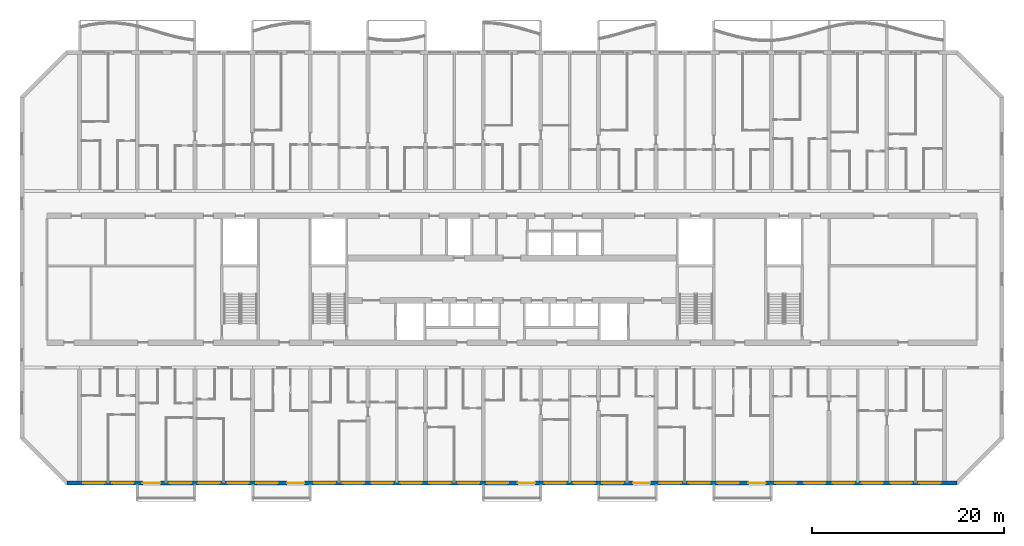
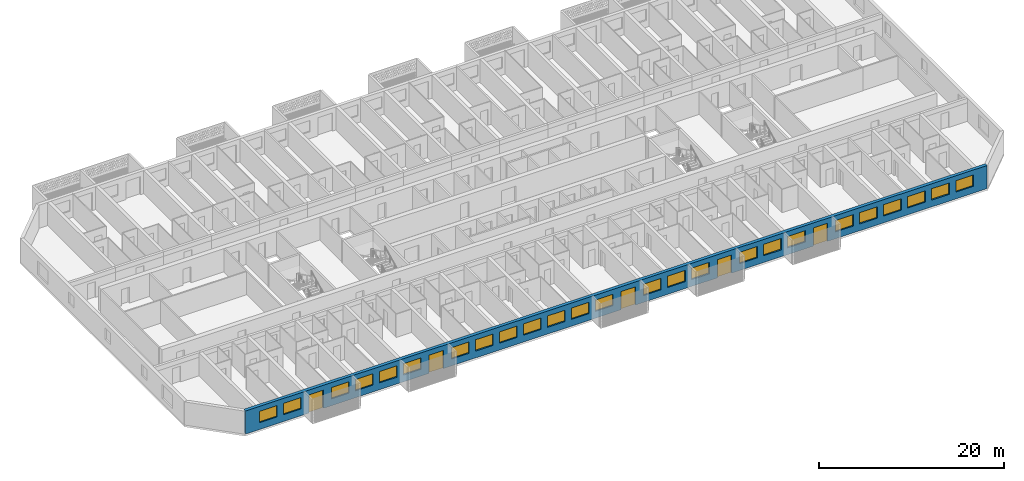
# One storey, part 5 of 40: 25 windows, 5 doors, 1 wall, 30 openings.
"""IFC4 building model written with IfcOpenShell, lengths in metres."""

from ifc_helpers import new_model, si_unit, direction, frame, frame_2d, origin, place, context, subcontext, project, spatial, rectangle, extrude, material, layer, layer_set, type_object, element, fill, save


model = new_model("IFC4")

# Units and contexts
model_context = context("Model", 3, precision=1e-05, world=origin(), true_north=direction((0.0, 1.0)))
body_context = subcontext(model_context, "Body", "Model", "MODEL_VIEW")
ifc_project = project(units=[si_unit("LENGTHUNIT", "METRE"), si_unit("AREAUNIT", "SQUARE_METRE"), si_unit("VOLUMEUNIT", "CUBIC_METRE"), si_unit("PLANEANGLEUNIT", "RADIAN"), si_unit("MASSUNIT", "GRAM", prefix="KILO")], contexts=[model_context])

# Site, building, storey
site_placement = place(None, origin())
site = spatial("IfcSite", under=ifc_project, at=site_placement, CompositionType="ELEMENT")
building_placement = place(site_placement, origin())
building = spatial("IfcBuilding", under=site, at=building_placement, Name="Poui Terraces", CompositionType="ELEMENT")
storey_placement = place(building_placement, frame((0.0, 0.0, 36.60009765625)))
storey = spatial("IfcBuildingStorey", under=building, at=storey_placement, Name="L09", CompositionType="ELEMENT", Elevation=36.60009765625)

# Wall, openings, doors, windows
ifc_material_1 = material(Name="Precast concrete 40 MPa", Category="concrete")
ifc_layer = layer(ifc_material_1, 0.39990234375)
ifc_layer_set = layer_set([ifc_layer], Name="Precast concrete 40 MPa")
wall_type = type_object("IfcWallType", Name="EXTERNAL WALL 400", PredefinedType="STANDARD", material=ifc_layer_set)
wall_placement = place(storey_placement, frame((4.682861328125, 0.0, 0.0), z_axis=(0.0, 0.0, 1.0), x_axis=(1.0, 0.0, 0.0)))
wall = element("IfcWall", 1, at=wall_placement, inside=storey, type_object=wall_type, Name="EXTERNAL WALL S", PredefinedType="STANDARD", context=body_context, shape_type="SweptSolid", body=[
    extrude(rectangle(XDim=92.63427734375, YDim=0.39990234375, at=frame_2d((46.317138671875, 0.0))), origin(), (0.0, 0.0, 1.0), 3.0498046875),
])
opening_1_placement = place(wall_placement, frame((1.71728515625, 0.0, 0.89990234375)))
opening_1 = element("IfcOpeningElement", 2, at=opening_1_placement, cuts=wall, Name="Opening W1", PredefinedType="OPENING", context=body_context, shape_type="SweptSolid", body=[
    extrude(rectangle(XDim=2.199951171875, YDim=1.5, at=frame_2d((1.10009765625, 0.75))), frame((0.0, 0.2099609375, 0.0), z_axis=(0.0, -1.0, 0.0), x_axis=(1.0, 0.0, 0.0)), (0.0, 0.0, 1.0), 0.419921875),
])
opening_2_placement = place(wall_placement, frame((4.71728515625, 0.0, 0.89990234375)))
opening_2 = element("IfcOpeningElement", 3, at=opening_2_placement, cuts=wall, Name="Opening W1", PredefinedType="OPENING", context=body_context, shape_type="SweptSolid", body=[
    extrude(rectangle(XDim=2.199951171875, YDim=1.5, at=frame_2d((1.10009765625, 0.75))), frame((0.0, 0.2099609375, 0.0), z_axis=(0.0, -1.0, 0.0), x_axis=(1.0, 0.0, 0.0)), (0.0, 0.0, 1.0), 0.419921875),
])
opening_3_placement = place(wall_placement, frame((7.917236328125, 0.0, 0.0)))
opening_3 = element("IfcOpeningElement", 4, at=opening_3_placement, cuts=wall, Name="Opening BD1", PredefinedType="OPENING", context=body_context, shape_type="SweptSolid", body=[
    extrude(rectangle(XDim=1.800048828125, YDim=2.39990234375, at=frame_2d((0.89990234375, 1.199951171875))), frame((0.0, 0.2099609375, 0.0), z_axis=(0.0, -1.0, 0.0), x_axis=(1.0, 0.0, 0.0)), (0.0, 0.0, 1.0), 0.419921875),
])
opening_4_placement = place(wall_placement, frame((10.71728515625, 0.0, 0.89990234375)))
opening_4 = element("IfcOpeningElement", 5, at=opening_4_placement, cuts=wall, Name="Opening W1", PredefinedType="OPENING", context=body_context, shape_type="SweptSolid", body=[
    extrude(rectangle(XDim=2.199951171875, YDim=1.5, at=frame_2d((1.10009765625, 0.75))), frame((0.0, 0.2099609375, 0.0), z_axis=(0.0, -1.0, 0.0), x_axis=(1.0, 0.0, 0.0)), (0.0, 0.0, 1.0), 0.419921875),
])
opening_5_placement = place(wall_placement, frame((13.71728515625, 0.0, 0.89990234375)))
opening_5 = element("IfcOpeningElement", 6, at=opening_5_placement, cuts=wall, Name="Opening W1", PredefinedType="OPENING", context=body_context, shape_type="SweptSolid", body=[
    extrude(rectangle(XDim=2.199951171875, YDim=1.5, at=frame_2d((1.10009765625, 0.75))), frame((0.0, 0.2099609375, 0.0), z_axis=(0.0, -1.0, 0.0), x_axis=(1.0, 0.0, 0.0)), (0.0, 0.0, 1.0), 0.419921875),
])
opening_6_placement = place(wall_placement, frame((16.71728515625, 0.0, 0.89990234375)))
opening_6 = element("IfcOpeningElement", 7, at=opening_6_placement, cuts=wall, Name="Opening W1", PredefinedType="OPENING", context=body_context, shape_type="SweptSolid", body=[
    extrude(rectangle(XDim=2.199951171875, YDim=1.5, at=frame_2d((1.10009765625, 0.75))), frame((0.0, 0.2099609375, 0.0), z_axis=(0.0, -1.0, 0.0), x_axis=(1.0, 0.0, 0.0)), (0.0, 0.0, 1.0), 0.419921875),
])
opening_7_placement = place(wall_placement, frame((19.71728515625, 0.0, 0.89990234375)))
opening_7 = element("IfcOpeningElement", 8, at=opening_7_placement, cuts=wall, Name="Opening W1", PredefinedType="OPENING", context=body_context, shape_type="SweptSolid", body=[
    extrude(rectangle(XDim=2.199951171875, YDim=1.5, at=frame_2d((1.10009765625, 0.75))), frame((0.0, 0.2099609375, 0.0), z_axis=(0.0, -1.0, 0.0), x_axis=(1.0, 0.0, 0.0)), (0.0, 0.0, 1.0), 0.419921875),
])
opening_8_placement = place(wall_placement, frame((22.917236328125, 0.0, 0.0)))
opening_8 = element("IfcOpeningElement", 9, at=opening_8_placement, cuts=wall, Name="Opening BD1", PredefinedType="OPENING", context=body_context, shape_type="SweptSolid", body=[
    extrude(rectangle(XDim=1.800048828125, YDim=2.39990234375, at=frame_2d((0.89990234375, 1.199951171875))), frame((0.0, 0.2099609375, 0.0), z_axis=(0.0, -1.0, 0.0), x_axis=(1.0, 0.0, 0.0)), (0.0, 0.0, 1.0), 0.419921875),
])
opening_9_placement = place(wall_placement, frame((25.71728515625, 0.0, 0.89990234375)))
opening_9 = element("IfcOpeningElement", 10, at=opening_9_placement, cuts=wall, Name="Opening W1", PredefinedType="OPENING", context=body_context, shape_type="SweptSolid", body=[
    extrude(rectangle(XDim=2.199951171875, YDim=1.5, at=frame_2d((1.10009765625, 0.75))), frame((0.0, 0.2099609375, 0.0), z_axis=(0.0, -1.0, 0.0), x_axis=(1.0, 0.0, 0.0)), (0.0, 0.0, 1.0), 0.419921875),
])
opening_10_placement = place(wall_placement, frame((28.71728515625, 0.0, 0.89990234375)))
opening_10 = element("IfcOpeningElement", 11, at=opening_10_placement, cuts=wall, Name="Opening W1", PredefinedType="OPENING", context=body_context, shape_type="SweptSolid", body=[
    extrude(rectangle(XDim=2.199951171875, YDim=1.5, at=frame_2d((1.10009765625, 0.75))), frame((0.0, 0.2099609375, 0.0), z_axis=(0.0, -1.0, 0.0), x_axis=(1.0, 0.0, 0.0)), (0.0, 0.0, 1.0), 0.419921875),
])
opening_11_placement = place(wall_placement, frame((31.71728515625, 0.0, 0.89990234375)))
opening_11 = element("IfcOpeningElement", 12, at=opening_11_placement, cuts=wall, Name="Opening W1", PredefinedType="OPENING", context=body_context, shape_type="SweptSolid", body=[
    extrude(rectangle(XDim=2.199951171875, YDim=1.5, at=frame_2d((1.10009765625, 0.75))), frame((0.0, 0.2099609375, 0.0), z_axis=(0.0, -1.0, 0.0), x_axis=(1.0, 0.0, 0.0)), (0.0, 0.0, 1.0), 0.419921875),
])
opening_12_placement = place(wall_placement, frame((34.71728515625, 0.0, 0.89990234375)))
opening_12 = element("IfcOpeningElement", 13, at=opening_12_placement, cuts=wall, Name="Opening W1", PredefinedType="OPENING", context=body_context, shape_type="SweptSolid", body=[
    extrude(rectangle(XDim=2.199951171875, YDim=1.5, at=frame_2d((1.10009765625, 0.75))), frame((0.0, 0.2099609375, 0.0), z_axis=(0.0, -1.0, 0.0), x_axis=(1.0, 0.0, 0.0)), (0.0, 0.0, 1.0), 0.419921875),
])
opening_13_placement = place(wall_placement, frame((37.71728515625, 0.0, 0.89990234375)))
opening_13 = element("IfcOpeningElement", 14, at=opening_13_placement, cuts=wall, Name="Opening W1", PredefinedType="OPENING", context=body_context, shape_type="SweptSolid", body=[
    extrude(rectangle(XDim=2.199951171875, YDim=1.5, at=frame_2d((1.10009765625, 0.75))), frame((0.0, 0.2099609375, 0.0), z_axis=(0.0, -1.0, 0.0), x_axis=(1.0, 0.0, 0.0)), (0.0, 0.0, 1.0), 0.419921875),
])
opening_14_placement = place(wall_placement, frame((40.71728515625, 0.0, 0.89990234375)))
opening_14 = element("IfcOpeningElement", 15, at=opening_14_placement, cuts=wall, Name="Opening W1", PredefinedType="OPENING", context=body_context, shape_type="SweptSolid", body=[
    extrude(rectangle(XDim=2.199951171875, YDim=1.5, at=frame_2d((1.10009765625, 0.75))), frame((0.0, 0.2099609375, 0.0), z_axis=(0.0, -1.0, 0.0), x_axis=(1.0, 0.0, 0.0)), (0.0, 0.0, 1.0), 0.419921875),
])
opening_15_placement = place(wall_placement, frame((43.71728515625, 0.0, 0.89990234375)))
opening_15 = element("IfcOpeningElement", 16, at=opening_15_placement, cuts=wall, Name="Opening W1", PredefinedType="OPENING", context=body_context, shape_type="SweptSolid", body=[
    extrude(rectangle(XDim=2.199951171875, YDim=1.5, at=frame_2d((1.10009765625, 0.75))), frame((0.0, 0.2099609375, 0.0), z_axis=(0.0, -1.0, 0.0), x_axis=(1.0, 0.0, 0.0)), (0.0, 0.0, 1.0), 0.419921875),
])
opening_16_placement = place(wall_placement, frame((46.917236328125, 0.0, 0.0)))
opening_16 = element("IfcOpeningElement", 17, at=opening_16_placement, cuts=wall, Name="Opening BD1", PredefinedType="OPENING", context=body_context, shape_type="SweptSolid", body=[
    extrude(rectangle(XDim=1.800048828125, YDim=2.39990234375, at=frame_2d((0.89990234375, 1.199951171875))), frame((0.0, 0.2099609375, 0.0), z_axis=(0.0, -1.0, 0.0), x_axis=(1.0, 0.0, 0.0)), (0.0, 0.0, 1.0), 0.419921875),
])
opening_17_placement = place(wall_placement, frame((49.71728515625, 0.0, 0.89990234375)))
opening_17 = element("IfcOpeningElement", 18, at=opening_17_placement, cuts=wall, Name="Opening W1", PredefinedType="OPENING", context=body_context, shape_type="SweptSolid", body=[
    extrude(rectangle(XDim=2.199951171875, YDim=1.5, at=frame_2d((1.10009765625, 0.75))), frame((0.0, 0.2099609375, 0.0), z_axis=(0.0, -1.0, 0.0), x_axis=(1.0, 0.0, 0.0)), (0.0, 0.0, 1.0), 0.419921875),
])
opening_18_placement = place(wall_placement, frame((52.71728515625, 0.0, 0.89990234375)))
opening_18 = element("IfcOpeningElement", 19, at=opening_18_placement, cuts=wall, Name="Opening W1", PredefinedType="OPENING", context=body_context, shape_type="SweptSolid", body=[
    extrude(rectangle(XDim=2.199951171875, YDim=1.5, at=frame_2d((1.10009765625, 0.75))), frame((0.0, 0.2099609375, 0.0), z_axis=(0.0, -1.0, 0.0), x_axis=(1.0, 0.0, 0.0)), (0.0, 0.0, 1.0), 0.419921875),
])
opening_19_placement = place(wall_placement, frame((55.71728515625, 0.0, 0.89990234375)))
opening_19 = element("IfcOpeningElement", 20, at=opening_19_placement, cuts=wall, Name="Opening W1", PredefinedType="OPENING", context=body_context, shape_type="SweptSolid", body=[
    extrude(rectangle(XDim=2.199951171875, YDim=1.5, at=frame_2d((1.10009765625, 0.75))), frame((0.0, 0.2099609375, 0.0), z_axis=(0.0, -1.0, 0.0), x_axis=(1.0, 0.0, 0.0)), (0.0, 0.0, 1.0), 0.419921875),
])
opening_20_placement = place(wall_placement, frame((58.917236328125, 0.0, 0.0)))
opening_20 = element("IfcOpeningElement", 21, at=opening_20_placement, cuts=wall, Name="Opening BD1", PredefinedType="OPENING", context=body_context, shape_type="SweptSolid", body=[
    extrude(rectangle(XDim=1.800048828125, YDim=2.39990234375, at=frame_2d((0.89990234375, 1.199951171875))), frame((0.0, 0.2099609375, 0.0), z_axis=(0.0, -1.0, 0.0), x_axis=(1.0, 0.0, 0.0)), (0.0, 0.0, 1.0), 0.419921875),
])
opening_21_placement = place(wall_placement, frame((61.71728515625, 0.0, 0.89990234375)))
opening_21 = element("IfcOpeningElement", 22, at=opening_21_placement, cuts=wall, Name="Opening W1", PredefinedType="OPENING", context=body_context, shape_type="SweptSolid", body=[
    extrude(rectangle(XDim=2.199951171875, YDim=1.5, at=frame_2d((1.10009765625, 0.75))), frame((0.0, 0.2099609375, 0.0), z_axis=(0.0, -1.0, 0.0), x_axis=(1.0, 0.0, 0.0)), (0.0, 0.0, 1.0), 0.419921875),
])
opening_22_placement = place(wall_placement, frame((64.71728515625, 0.0, 0.89990234375)))
opening_22 = element("IfcOpeningElement", 23, at=opening_22_placement, cuts=wall, Name="Opening W1", PredefinedType="OPENING", context=body_context, shape_type="SweptSolid", body=[
    extrude(rectangle(XDim=2.199951171875, YDim=1.5, at=frame_2d((1.10009765625, 0.75))), frame((0.0, 0.2099609375, 0.0), z_axis=(0.0, -1.0, 0.0), x_axis=(1.0, 0.0, 0.0)), (0.0, 0.0, 1.0), 0.419921875),
])
opening_23_placement = place(wall_placement, frame((67.71728515625, 0.0, 0.89990234375)))
opening_23 = element("IfcOpeningElement", 24, at=opening_23_placement, cuts=wall, Name="Opening W1", PredefinedType="OPENING", context=body_context, shape_type="SweptSolid", body=[
    extrude(rectangle(XDim=2.199951171875, YDim=1.5, at=frame_2d((1.10009765625, 0.75))), frame((0.0, 0.2099609375, 0.0), z_axis=(0.0, -1.0, 0.0), x_axis=(1.0, 0.0, 0.0)), (0.0, 0.0, 1.0), 0.419921875),
])
opening_24_placement = place(wall_placement, frame((70.917236328125, 0.0, 0.0)))
opening_24 = element("IfcOpeningElement", 25, at=opening_24_placement, cuts=wall, Name="Opening BD1", PredefinedType="OPENING", context=body_context, shape_type="SweptSolid", body=[
    extrude(rectangle(XDim=1.800048828125, YDim=2.39990234375, at=frame_2d((0.89990234375, 1.199951171875))), frame((0.0, 0.2099609375, 0.0), z_axis=(0.0, -1.0, 0.0), x_axis=(1.0, 0.0, 0.0)), (0.0, 0.0, 1.0), 0.419921875),
])
opening_25_placement = place(wall_placement, frame((73.71728515625, 0.0, 0.89990234375)))
opening_25 = element("IfcOpeningElement", 26, at=opening_25_placement, cuts=wall, Name="Opening W1", PredefinedType="OPENING", context=body_context, shape_type="SweptSolid", body=[
    extrude(rectangle(XDim=2.199951171875, YDim=1.5, at=frame_2d((1.10009765625, 0.75))), frame((0.0, 0.2099609375, 0.0), z_axis=(0.0, -1.0, 0.0), x_axis=(1.0, 0.0, 0.0)), (0.0, 0.0, 1.0), 0.419921875),
])
opening_26_placement = place(wall_placement, frame((76.71728515625, 0.0, 0.89990234375)))
opening_26 = element("IfcOpeningElement", 27, at=opening_26_placement, cuts=wall, Name="Opening W1", PredefinedType="OPENING", context=body_context, shape_type="SweptSolid", body=[
    extrude(rectangle(XDim=2.199951171875, YDim=1.5, at=frame_2d((1.10009765625, 0.75))), frame((0.0, 0.2099609375, 0.0), z_axis=(0.0, -1.0, 0.0), x_axis=(1.0, 0.0, 0.0)), (0.0, 0.0, 1.0), 0.419921875),
])
opening_27_placement = place(wall_placement, frame((79.71728515625, 0.0, 0.89990234375)))
opening_27 = element("IfcOpeningElement", 28, at=opening_27_placement, cuts=wall, Name="Opening W1", PredefinedType="OPENING", context=body_context, shape_type="SweptSolid", body=[
    extrude(rectangle(XDim=2.199951171875, YDim=1.5, at=frame_2d((1.10009765625, 0.75))), frame((0.0, 0.2099609375, 0.0), z_axis=(0.0, -1.0, 0.0), x_axis=(1.0, 0.0, 0.0)), (0.0, 0.0, 1.0), 0.419921875),
])
opening_28_placement = place(wall_placement, frame((82.71728515625, 0.0, 0.89990234375)))
opening_28 = element("IfcOpeningElement", 29, at=opening_28_placement, cuts=wall, Name="Opening W1", PredefinedType="OPENING", context=body_context, shape_type="SweptSolid", body=[
    extrude(rectangle(XDim=2.199951171875, YDim=1.5, at=frame_2d((1.10009765625, 0.75))), frame((0.0, 0.2099609375, 0.0), z_axis=(0.0, -1.0, 0.0), x_axis=(1.0, 0.0, 0.0)), (0.0, 0.0, 1.0), 0.419921875),
])
opening_29_placement = place(wall_placement, frame((85.71728515625, 0.0, 0.89990234375)))
opening_29 = element("IfcOpeningElement", 30, at=opening_29_placement, cuts=wall, Name="Opening W1", PredefinedType="OPENING", context=body_context, shape_type="SweptSolid", body=[
    extrude(rectangle(XDim=2.199951171875, YDim=1.5, at=frame_2d((1.10009765625, 0.75))), frame((0.0, 0.2099609375, 0.0), z_axis=(0.0, -1.0, 0.0), x_axis=(1.0, 0.0, 0.0)), (0.0, 0.0, 1.0), 0.419921875),
])
opening_30_placement = place(wall_placement, frame((88.71728515625, 0.0, 0.89990234375)))
opening_30 = element("IfcOpeningElement", 31, at=opening_30_placement, cuts=wall, Name="Opening W1", PredefinedType="OPENING", context=body_context, shape_type="SweptSolid", body=[
    extrude(rectangle(XDim=2.199951171875, YDim=1.5, at=frame_2d((1.10009765625, 0.75))), frame((0.0, 0.2099609375, 0.0), z_axis=(0.0, -1.0, 0.0), x_axis=(1.0, 0.0, 0.0)), (0.0, 0.0, 1.0), 0.419921875),
])
ifc_material_2 = material(Name="Clear glass in aluminium frame", Category="aluminium")
door_type = type_object("IfcDoorType", Name="BALCONY DOOR 1800X2400", OperationType="DOUBLE_DOOR_SLIDING", PredefinedType="DOOR", material=ifc_material_2)
door_1_placement = place(opening_3_placement, origin())
door_1 = element("IfcDoor", 32, at=door_1_placement, inside=storey, type_object=door_type, Name="BD1 BALCONY DOOR", OperationType="DOUBLE_DOOR_SLIDING", OverallHeight=2.39990234375, OverallWidth=1.800048828125, PredefinedType="DOOR", context=body_context, shape_type="SweptSolid", body=[
    extrude(rectangle(XDim=1.800048828125, YDim=2.39990234375, at=frame_2d((0.89990234375, 1.199951171875))), frame((0.0, 0.02490234375, 0.0), z_axis=(0.0, -1.0, 0.0), x_axis=(1.0, 0.0, 0.0)), (0.0, 0.0, 1.0), 0.050048828125),
])
fill(opening_3, door_1)
door_2_placement = place(opening_8_placement, origin())
door_2 = element("IfcDoor", 33, at=door_2_placement, inside=storey, type_object=door_type, Name="BD1 BALCONY DOOR", OperationType="DOUBLE_DOOR_SLIDING", OverallHeight=2.39990234375, OverallWidth=1.800048828125, PredefinedType="DOOR", context=body_context, shape_type="SweptSolid", body=[
    extrude(rectangle(XDim=1.800048828125, YDim=2.39990234375, at=frame_2d((0.89990234375, 1.199951171875))), frame((0.0, 0.02490234375, 0.0), z_axis=(0.0, -1.0, 0.0), x_axis=(1.0, 0.0, 0.0)), (0.0, 0.0, 1.0), 0.050048828125),
])
fill(opening_8, door_2)
door_3_placement = place(opening_16_placement, origin())
door_3 = element("IfcDoor", 34, at=door_3_placement, inside=storey, type_object=door_type, Name="BD1 BALCONY DOOR", OperationType="DOUBLE_DOOR_SLIDING", OverallHeight=2.39990234375, OverallWidth=1.800048828125, PredefinedType="DOOR", context=body_context, shape_type="SweptSolid", body=[
    extrude(rectangle(XDim=1.800048828125, YDim=2.39990234375, at=frame_2d((0.89990234375, 1.199951171875))), frame((0.0, 0.02490234375, 0.0), z_axis=(0.0, -1.0, 0.0), x_axis=(1.0, 0.0, 0.0)), (0.0, 0.0, 1.0), 0.050048828125),
])
fill(opening_16, door_3)
door_4_placement = place(opening_20_placement, origin())
door_4 = element("IfcDoor", 35, at=door_4_placement, inside=storey, type_object=door_type, Name="BD1 BALCONY DOOR", OperationType="DOUBLE_DOOR_SLIDING", OverallHeight=2.39990234375, OverallWidth=1.800048828125, PredefinedType="DOOR", context=body_context, shape_type="SweptSolid", body=[
    extrude(rectangle(XDim=1.800048828125, YDim=2.39990234375, at=frame_2d((0.89990234375, 1.199951171875))), frame((0.0, 0.02490234375, 0.0), z_axis=(0.0, -1.0, 0.0), x_axis=(1.0, 0.0, 0.0)), (0.0, 0.0, 1.0), 0.050048828125),
])
fill(opening_20, door_4)
door_5_placement = place(opening_24_placement, origin())
door_5 = element("IfcDoor", 36, at=door_5_placement, inside=storey, type_object=door_type, Name="BD1 BALCONY DOOR", OperationType="DOUBLE_DOOR_SLIDING", OverallHeight=2.39990234375, OverallWidth=1.800048828125, PredefinedType="DOOR", context=body_context, shape_type="SweptSolid", body=[
    extrude(rectangle(XDim=1.800048828125, YDim=2.39990234375, at=frame_2d((0.89990234375, 1.199951171875))), frame((0.0, 0.02490234375, 0.0), z_axis=(0.0, -1.0, 0.0), x_axis=(1.0, 0.0, 0.0)), (0.0, 0.0, 1.0), 0.050048828125),
])
fill(opening_24, door_5)
window_type = type_object("IfcWindowType", Name="WINDOW 2200X1500", PartitioningType="DOUBLE_PANEL_HORIZONTAL", PredefinedType="WINDOW", material=ifc_material_2)
window_1_placement = place(opening_1_placement, origin())
window_1 = element("IfcWindow", 37, at=window_1_placement, inside=storey, type_object=window_type, Name="W1 WINDOW", OverallHeight=1.5, OverallWidth=2.199951171875, PartitioningType="DOUBLE_PANEL_HORIZONTAL", PredefinedType="WINDOW", context=body_context, shape_type="SweptSolid", body=[
    extrude(rectangle(XDim=2.199951171875, YDim=1.5, at=frame_2d((1.10009765625, 0.75))), frame((0.0, 0.030029296875, 0.0), z_axis=(0.0, -1.0, 0.0), x_axis=(1.0, 0.0, 0.0)), (0.0, 0.0, 1.0), 0.06005859375),
])
fill(opening_1, window_1)
window_2_placement = place(opening_2_placement, origin())
window_2 = element("IfcWindow", 38, at=window_2_placement, inside=storey, type_object=window_type, Name="W1 WINDOW", OverallHeight=1.5, OverallWidth=2.199951171875, PartitioningType="DOUBLE_PANEL_HORIZONTAL", PredefinedType="WINDOW", context=body_context, shape_type="SweptSolid", body=[
    extrude(rectangle(XDim=2.199951171875, YDim=1.5, at=frame_2d((1.10009765625, 0.75))), frame((0.0, 0.030029296875, 0.0), z_axis=(0.0, -1.0, 0.0), x_axis=(1.0, 0.0, 0.0)), (0.0, 0.0, 1.0), 0.06005859375),
])
fill(opening_2, window_2)
window_3_placement = place(opening_4_placement, origin())
window_3 = element("IfcWindow", 39, at=window_3_placement, inside=storey, type_object=window_type, Name="W1 WINDOW", OverallHeight=1.5, OverallWidth=2.199951171875, PartitioningType="DOUBLE_PANEL_HORIZONTAL", PredefinedType="WINDOW", context=body_context, shape_type="SweptSolid", body=[
    extrude(rectangle(XDim=2.199951171875, YDim=1.5, at=frame_2d((1.10009765625, 0.75))), frame((0.0, 0.030029296875, 0.0), z_axis=(0.0, -1.0, 0.0), x_axis=(1.0, 0.0, 0.0)), (0.0, 0.0, 1.0), 0.06005859375),
])
fill(opening_4, window_3)
window_4_placement = place(opening_5_placement, origin())
window_4 = element("IfcWindow", 40, at=window_4_placement, inside=storey, type_object=window_type, Name="W1 WINDOW", OverallHeight=1.5, OverallWidth=2.199951171875, PartitioningType="DOUBLE_PANEL_HORIZONTAL", PredefinedType="WINDOW", context=body_context, shape_type="SweptSolid", body=[
    extrude(rectangle(XDim=2.199951171875, YDim=1.5, at=frame_2d((1.10009765625, 0.75))), frame((0.0, 0.030029296875, 0.0), z_axis=(0.0, -1.0, 0.0), x_axis=(1.0, 0.0, 0.0)), (0.0, 0.0, 1.0), 0.06005859375),
])
fill(opening_5, window_4)
window_5_placement = place(opening_6_placement, origin())
window_5 = element("IfcWindow", 41, at=window_5_placement, inside=storey, type_object=window_type, Name="W1 WINDOW", OverallHeight=1.5, OverallWidth=2.199951171875, PartitioningType="DOUBLE_PANEL_HORIZONTAL", PredefinedType="WINDOW", context=body_context, shape_type="SweptSolid", body=[
    extrude(rectangle(XDim=2.199951171875, YDim=1.5, at=frame_2d((1.10009765625, 0.75))), frame((0.0, 0.030029296875, 0.0), z_axis=(0.0, -1.0, 0.0), x_axis=(1.0, 0.0, 0.0)), (0.0, 0.0, 1.0), 0.06005859375),
])
fill(opening_6, window_5)
window_6_placement = place(opening_7_placement, origin())
window_6 = element("IfcWindow", 42, at=window_6_placement, inside=storey, type_object=window_type, Name="W1 WINDOW", OverallHeight=1.5, OverallWidth=2.199951171875, PartitioningType="DOUBLE_PANEL_HORIZONTAL", PredefinedType="WINDOW", context=body_context, shape_type="SweptSolid", body=[
    extrude(rectangle(XDim=2.199951171875, YDim=1.5, at=frame_2d((1.10009765625, 0.75))), frame((0.0, 0.030029296875, 0.0), z_axis=(0.0, -1.0, 0.0), x_axis=(1.0, 0.0, 0.0)), (0.0, 0.0, 1.0), 0.06005859375),
])
fill(opening_7, window_6)
window_7_placement = place(opening_9_placement, origin())
window_7 = element("IfcWindow", 43, at=window_7_placement, inside=storey, type_object=window_type, Name="W1 WINDOW", OverallHeight=1.5, OverallWidth=2.199951171875, PartitioningType="DOUBLE_PANEL_HORIZONTAL", PredefinedType="WINDOW", context=body_context, shape_type="SweptSolid", body=[
    extrude(rectangle(XDim=2.199951171875, YDim=1.5, at=frame_2d((1.10009765625, 0.75))), frame((0.0, 0.030029296875, 0.0), z_axis=(0.0, -1.0, 0.0), x_axis=(1.0, 0.0, 0.0)), (0.0, 0.0, 1.0), 0.06005859375),
])
fill(opening_9, window_7)
window_8_placement = place(opening_10_placement, origin())
window_8 = element("IfcWindow", 44, at=window_8_placement, inside=storey, type_object=window_type, Name="W1 WINDOW", OverallHeight=1.5, OverallWidth=2.199951171875, PartitioningType="DOUBLE_PANEL_HORIZONTAL", PredefinedType="WINDOW", context=body_context, shape_type="SweptSolid", body=[
    extrude(rectangle(XDim=2.199951171875, YDim=1.5, at=frame_2d((1.10009765625, 0.75))), frame((0.0, 0.030029296875, 0.0), z_axis=(0.0, -1.0, 0.0), x_axis=(1.0, 0.0, 0.0)), (0.0, 0.0, 1.0), 0.06005859375),
])
fill(opening_10, window_8)
window_9_placement = place(opening_11_placement, origin())
window_9 = element("IfcWindow", 45, at=window_9_placement, inside=storey, type_object=window_type, Name="W1 WINDOW", OverallHeight=1.5, OverallWidth=2.199951171875, PartitioningType="DOUBLE_PANEL_HORIZONTAL", PredefinedType="WINDOW", context=body_context, shape_type="SweptSolid", body=[
    extrude(rectangle(XDim=2.199951171875, YDim=1.5, at=frame_2d((1.10009765625, 0.75))), frame((0.0, 0.030029296875, 0.0), z_axis=(0.0, -1.0, 0.0), x_axis=(1.0, 0.0, 0.0)), (0.0, 0.0, 1.0), 0.06005859375),
])
fill(opening_11, window_9)
window_10_placement = place(opening_12_placement, origin())
window_10 = element("IfcWindow", 46, at=window_10_placement, inside=storey, type_object=window_type, Name="W1 WINDOW", OverallHeight=1.5, OverallWidth=2.199951171875, PartitioningType="DOUBLE_PANEL_HORIZONTAL", PredefinedType="WINDOW", context=body_context, shape_type="SweptSolid", body=[
    extrude(rectangle(XDim=2.199951171875, YDim=1.5, at=frame_2d((1.10009765625, 0.75))), frame((0.0, 0.030029296875, 0.0), z_axis=(0.0, -1.0, 0.0), x_axis=(1.0, 0.0, 0.0)), (0.0, 0.0, 1.0), 0.06005859375),
])
fill(opening_12, window_10)
window_11_placement = place(opening_13_placement, origin())
window_11 = element("IfcWindow", 47, at=window_11_placement, inside=storey, type_object=window_type, Name="W1 WINDOW", OverallHeight=1.5, OverallWidth=2.199951171875, PartitioningType="DOUBLE_PANEL_HORIZONTAL", PredefinedType="WINDOW", context=body_context, shape_type="SweptSolid", body=[
    extrude(rectangle(XDim=2.199951171875, YDim=1.5, at=frame_2d((1.10009765625, 0.75))), frame((0.0, 0.030029296875, 0.0), z_axis=(0.0, -1.0, 0.0), x_axis=(1.0, 0.0, 0.0)), (0.0, 0.0, 1.0), 0.06005859375),
])
fill(opening_13, window_11)
window_12_placement = place(opening_14_placement, origin())
window_12 = element("IfcWindow", 48, at=window_12_placement, inside=storey, type_object=window_type, Name="W1 WINDOW", OverallHeight=1.5, OverallWidth=2.199951171875, PartitioningType="DOUBLE_PANEL_HORIZONTAL", PredefinedType="WINDOW", context=body_context, shape_type="SweptSolid", body=[
    extrude(rectangle(XDim=2.199951171875, YDim=1.5, at=frame_2d((1.10009765625, 0.75))), frame((0.0, 0.030029296875, 0.0), z_axis=(0.0, -1.0, 0.0), x_axis=(1.0, 0.0, 0.0)), (0.0, 0.0, 1.0), 0.06005859375),
])
fill(opening_14, window_12)
window_13_placement = place(opening_15_placement, origin())
window_13 = element("IfcWindow", 49, at=window_13_placement, inside=storey, type_object=window_type, Name="W1 WINDOW", OverallHeight=1.5, OverallWidth=2.199951171875, PartitioningType="DOUBLE_PANEL_HORIZONTAL", PredefinedType="WINDOW", context=body_context, shape_type="SweptSolid", body=[
    extrude(rectangle(XDim=2.199951171875, YDim=1.5, at=frame_2d((1.10009765625, 0.75))), frame((0.0, 0.030029296875, 0.0), z_axis=(0.0, -1.0, 0.0), x_axis=(1.0, 0.0, 0.0)), (0.0, 0.0, 1.0), 0.06005859375),
])
fill(opening_15, window_13)
window_14_placement = place(opening_17_placement, origin())
window_14 = element("IfcWindow", 50, at=window_14_placement, inside=storey, type_object=window_type, Name="W1 WINDOW", OverallHeight=1.5, OverallWidth=2.199951171875, PartitioningType="DOUBLE_PANEL_HORIZONTAL", PredefinedType="WINDOW", context=body_context, shape_type="SweptSolid", body=[
    extrude(rectangle(XDim=2.199951171875, YDim=1.5, at=frame_2d((1.10009765625, 0.75))), frame((0.0, 0.030029296875, 0.0), z_axis=(0.0, -1.0, 0.0), x_axis=(1.0, 0.0, 0.0)), (0.0, 0.0, 1.0), 0.06005859375),
])
fill(opening_17, window_14)
window_15_placement = place(opening_18_placement, origin())
window_15 = element("IfcWindow", 51, at=window_15_placement, inside=storey, type_object=window_type, Name="W1 WINDOW", OverallHeight=1.5, OverallWidth=2.199951171875, PartitioningType="DOUBLE_PANEL_HORIZONTAL", PredefinedType="WINDOW", context=body_context, shape_type="SweptSolid", body=[
    extrude(rectangle(XDim=2.199951171875, YDim=1.5, at=frame_2d((1.10009765625, 0.75))), frame((0.0, 0.030029296875, 0.0), z_axis=(0.0, -1.0, 0.0), x_axis=(1.0, 0.0, 0.0)), (0.0, 0.0, 1.0), 0.06005859375),
])
fill(opening_18, window_15)
window_16_placement = place(opening_19_placement, origin())
window_16 = element("IfcWindow", 52, at=window_16_placement, inside=storey, type_object=window_type, Name="W1 WINDOW", OverallHeight=1.5, OverallWidth=2.199951171875, PartitioningType="DOUBLE_PANEL_HORIZONTAL", PredefinedType="WINDOW", context=body_context, shape_type="SweptSolid", body=[
    extrude(rectangle(XDim=2.199951171875, YDim=1.5, at=frame_2d((1.10009765625, 0.75))), frame((0.0, 0.030029296875, 0.0), z_axis=(0.0, -1.0, 0.0), x_axis=(1.0, 0.0, 0.0)), (0.0, 0.0, 1.0), 0.06005859375),
])
fill(opening_19, window_16)
window_17_placement = place(opening_21_placement, origin())
window_17 = element("IfcWindow", 53, at=window_17_placement, inside=storey, type_object=window_type, Name="W1 WINDOW", OverallHeight=1.5, OverallWidth=2.199951171875, PartitioningType="DOUBLE_PANEL_HORIZONTAL", PredefinedType="WINDOW", context=body_context, shape_type="SweptSolid", body=[
    extrude(rectangle(XDim=2.199951171875, YDim=1.5, at=frame_2d((1.10009765625, 0.75))), frame((0.0, 0.030029296875, 0.0), z_axis=(0.0, -1.0, 0.0), x_axis=(1.0, 0.0, 0.0)), (0.0, 0.0, 1.0), 0.06005859375),
])
fill(opening_21, window_17)
window_18_placement = place(opening_22_placement, origin())
window_18 = element("IfcWindow", 54, at=window_18_placement, inside=storey, type_object=window_type, Name="W1 WINDOW", OverallHeight=1.5, OverallWidth=2.199951171875, PartitioningType="DOUBLE_PANEL_HORIZONTAL", PredefinedType="WINDOW", context=body_context, shape_type="SweptSolid", body=[
    extrude(rectangle(XDim=2.199951171875, YDim=1.5, at=frame_2d((1.10009765625, 0.75))), frame((0.0, 0.030029296875, 0.0), z_axis=(0.0, -1.0, 0.0), x_axis=(1.0, 0.0, 0.0)), (0.0, 0.0, 1.0), 0.06005859375),
])
fill(opening_22, window_18)
window_19_placement = place(opening_23_placement, origin())
window_19 = element("IfcWindow", 55, at=window_19_placement, inside=storey, type_object=window_type, Name="W1 WINDOW", OverallHeight=1.5, OverallWidth=2.199951171875, PartitioningType="DOUBLE_PANEL_HORIZONTAL", PredefinedType="WINDOW", context=body_context, shape_type="SweptSolid", body=[
    extrude(rectangle(XDim=2.199951171875, YDim=1.5, at=frame_2d((1.10009765625, 0.75))), frame((0.0, 0.030029296875, 0.0), z_axis=(0.0, -1.0, 0.0), x_axis=(1.0, 0.0, 0.0)), (0.0, 0.0, 1.0), 0.06005859375),
])
fill(opening_23, window_19)
window_20_placement = place(opening_25_placement, origin())
window_20 = element("IfcWindow", 56, at=window_20_placement, inside=storey, type_object=window_type, Name="W1 WINDOW", OverallHeight=1.5, OverallWidth=2.199951171875, PartitioningType="DOUBLE_PANEL_HORIZONTAL", PredefinedType="WINDOW", context=body_context, shape_type="SweptSolid", body=[
    extrude(rectangle(XDim=2.199951171875, YDim=1.5, at=frame_2d((1.10009765625, 0.75))), frame((0.0, 0.030029296875, 0.0), z_axis=(0.0, -1.0, 0.0), x_axis=(1.0, 0.0, 0.0)), (0.0, 0.0, 1.0), 0.06005859375),
])
fill(opening_25, window_20)
window_21_placement = place(opening_26_placement, origin())
window_21 = element("IfcWindow", 57, at=window_21_placement, inside=storey, type_object=window_type, Name="W1 WINDOW", OverallHeight=1.5, OverallWidth=2.199951171875, PartitioningType="DOUBLE_PANEL_HORIZONTAL", PredefinedType="WINDOW", context=body_context, shape_type="SweptSolid", body=[
    extrude(rectangle(XDim=2.199951171875, YDim=1.5, at=frame_2d((1.10009765625, 0.75))), frame((0.0, 0.030029296875, 0.0), z_axis=(0.0, -1.0, 0.0), x_axis=(1.0, 0.0, 0.0)), (0.0, 0.0, 1.0), 0.06005859375),
])
fill(opening_26, window_21)
window_22_placement = place(opening_27_placement, origin())
window_22 = element("IfcWindow", 58, at=window_22_placement, inside=storey, type_object=window_type, Name="W1 WINDOW", OverallHeight=1.5, OverallWidth=2.199951171875, PartitioningType="DOUBLE_PANEL_HORIZONTAL", PredefinedType="WINDOW", context=body_context, shape_type="SweptSolid", body=[
    extrude(rectangle(XDim=2.199951171875, YDim=1.5, at=frame_2d((1.10009765625, 0.75))), frame((0.0, 0.030029296875, 0.0), z_axis=(0.0, -1.0, 0.0), x_axis=(1.0, 0.0, 0.0)), (0.0, 0.0, 1.0), 0.06005859375),
])
fill(opening_27, window_22)
window_23_placement = place(opening_28_placement, origin())
window_23 = element("IfcWindow", 59, at=window_23_placement, inside=storey, type_object=window_type, Name="W1 WINDOW", OverallHeight=1.5, OverallWidth=2.199951171875, PartitioningType="DOUBLE_PANEL_HORIZONTAL", PredefinedType="WINDOW", context=body_context, shape_type="SweptSolid", body=[
    extrude(rectangle(XDim=2.199951171875, YDim=1.5, at=frame_2d((1.10009765625, 0.75))), frame((0.0, 0.030029296875, 0.0), z_axis=(0.0, -1.0, 0.0), x_axis=(1.0, 0.0, 0.0)), (0.0, 0.0, 1.0), 0.06005859375),
])
fill(opening_28, window_23)
window_24_placement = place(opening_29_placement, origin())
window_24 = element("IfcWindow", 60, at=window_24_placement, inside=storey, type_object=window_type, Name="W1 WINDOW", OverallHeight=1.5, OverallWidth=2.199951171875, PartitioningType="DOUBLE_PANEL_HORIZONTAL", PredefinedType="WINDOW", context=body_context, shape_type="SweptSolid", body=[
    extrude(rectangle(XDim=2.199951171875, YDim=1.5, at=frame_2d((1.10009765625, 0.75))), frame((0.0, 0.030029296875, 0.0), z_axis=(0.0, -1.0, 0.0), x_axis=(1.0, 0.0, 0.0)), (0.0, 0.0, 1.0), 0.06005859375),
])
fill(opening_29, window_24)
window_25_placement = place(opening_30_placement, origin())
window_25 = element("IfcWindow", 61, at=window_25_placement, inside=storey, type_object=window_type, Name="W1 WINDOW", OverallHeight=1.5, OverallWidth=2.199951171875, PartitioningType="DOUBLE_PANEL_HORIZONTAL", PredefinedType="WINDOW", context=body_context, shape_type="SweptSolid", body=[
    extrude(rectangle(XDim=2.199951171875, YDim=1.5, at=frame_2d((1.10009765625, 0.75))), frame((0.0, 0.030029296875, 0.0), z_axis=(0.0, -1.0, 0.0), x_axis=(1.0, 0.0, 0.0)), (0.0, 0.0, 1.0), 0.06005859375),
])
fill(opening_30, window_25)

save(model, "model.ifc")
